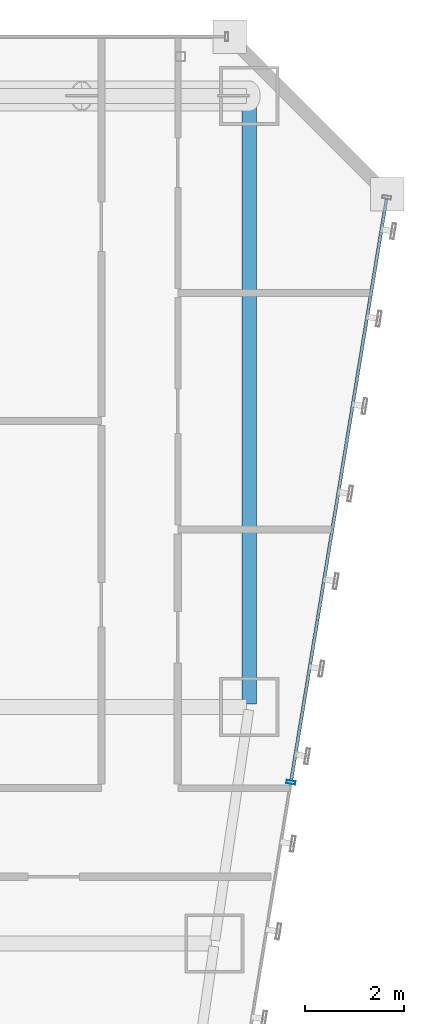
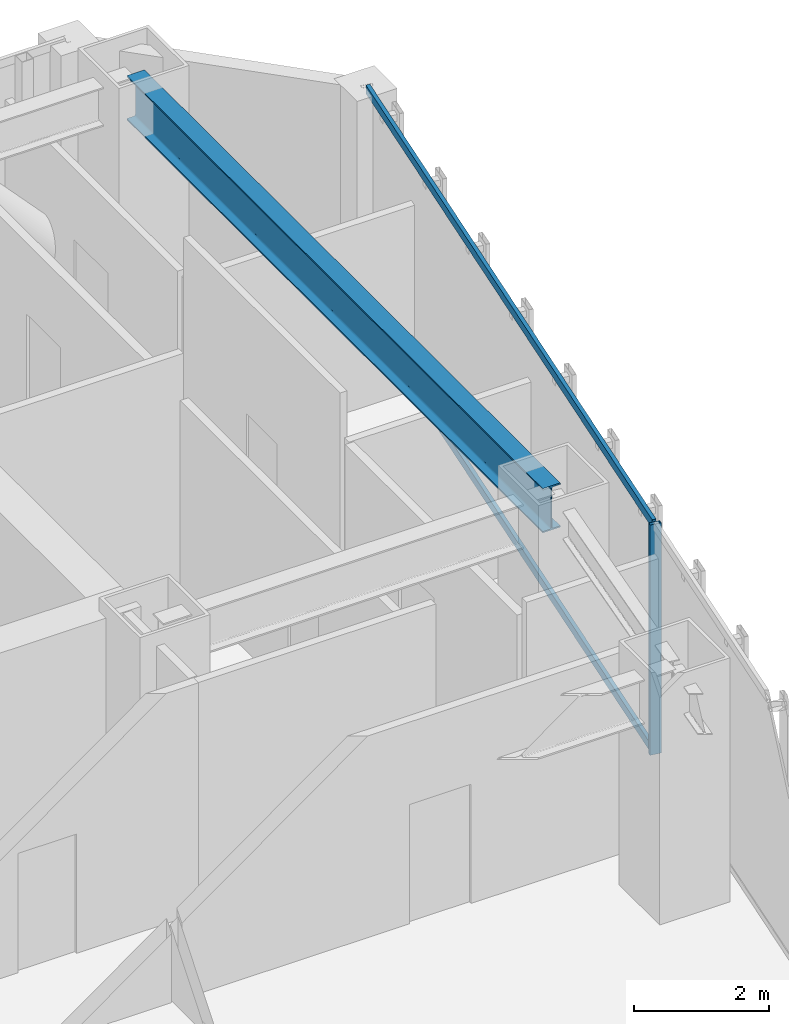
# One storey, part 31 of 47: 3 members, 1 beam, 1 element without a shape of its own.
"""IFC4 building model written with IfcOpenShell, lengths in metres."""

from ifc_helpers import new_model, si_unit, direction, frame, origin, origin_2d, place, context, subcontext, project, spatial, hollow_rectangle, i_section, extrude, material, material_profile, profile_set, type_object, element, aggregate, save


model = new_model("IFC4")

# Units and contexts
model_context = context("Model", 3, precision=1e-05, world=origin(), true_north=direction((0.0, 1.0)))
body_context = subcontext(model_context, "Body", "Model", "MODEL_VIEW")
ifc_project = project(units=[si_unit("LENGTHUNIT", "METRE"), si_unit("AREAUNIT", "SQUARE_METRE"), si_unit("VOLUMEUNIT", "CUBIC_METRE"), si_unit("PLANEANGLEUNIT", "RADIAN"), si_unit("MASSUNIT", "GRAM", prefix="KILO")], contexts=[model_context])

# Site, building, storey
site_placement = place(None, origin())
site = spatial("IfcSite", under=ifc_project, at=site_placement, CompositionType="ELEMENT")
building_placement = place(site_placement, origin())
building = spatial("IfcBuilding", under=site, at=building_placement, Name="Saevonmaru Cultural Tower", CompositionType="ELEMENT")
storey_placement = place(building_placement, frame((0.0, 0.0, 78.0)))
storey = spatial("IfcBuildingStorey", under=building, at=storey_placement, Name="L16", CompositionType="ELEMENT", Elevation=78.0)

# Beam
ifc_material_1 = material(Name="Steel SM420", Category="steel")
ifc_material_profile_1 = material_profile(ifc_material_1, i_section(OverallWidth=0.300048828125, OverallDepth=0.800048828125, WebThickness=0.013916015625, FlangeThickness=0.02587890625, FilletRadius=0.028076171875, at=origin_2d()), Name="H-800x300x14x26")
ifc_profile_set_1 = profile_set([ifc_material_profile_1], Name="Steel SM420")
beam_type = type_object("IfcBeamType", Name="BM-G-H800", PredefinedType="BEAM", material=ifc_profile_set_1)
beam_placement = place(storey_placement, frame((53.199951171875, 54.739990234375, 3.75), z_axis=(0.0, -1.0, 0.0), x_axis=(1.0, 0.0, 0.0)))
element("IfcBeam", 1, at=beam_placement, inside=storey, type_object=beam_type, Name="L16 Spine Transverse Girder E", PredefinedType="BEAM", context=body_context, shape_type="SweptSolid", body=[
    extrude(i_section(OverallWidth=0.300048828125, OverallDepth=0.800048828125, WebThickness=0.013916015625, FlangeThickness=0.02587890625, FilletRadius=0.028076171875, at=origin_2d()), origin(), (0.0, 0.0, 1.0), 12.280029296875),
])

# Curtain wall, members
ifc_material_2 = material(Name="Satin Bronze Anodised Aluminium", Category="aluminium")
curtain_wall_type = type_object("IfcCurtainWallType", Name="CW-TYP-A", PredefinedType="NOTDEFINED", material=ifc_material_2)
curtain_wall_placement = place(storey_placement, origin())
curtain_wall = element("IfcCurtainWall", 2, at=curtain_wall_placement, inside=storey, type_object=curtain_wall_type, Name="L16 Unitised Curtain Wall E8", PredefinedType="NOTDEFINED")
ifc_material_profile_2 = material_profile(ifc_material_2, hollow_rectangle(XDim=0.06494140625, YDim=0.179931640625, WallThickness=0.00390625, at=origin_2d()), Name="ALU-MULL-180x65x4")
ifc_profile_set_2 = profile_set([ifc_material_profile_2], Name="Satin Bronze Anodised Aluminium")
member_type_1 = type_object("IfcMemberType", Name="ML-CW-180x65", PredefinedType="MULLION", material=ifc_profile_set_2)
member_1_placement = place(storey_placement, frame((54.045166015625, 40.870361328125, 0.0), z_axis=(0.0, 0.0, 1.0), x_axis=(0.161708868641, 0.986838508472, 0.0)))
member_1 = element("IfcMember", 3, at=member_1_placement, type_object=member_type_1, Name="CW-TW-L16-E8 mullion 4", PredefinedType="MULLION", context=body_context, shape_type="SweptSolid", body=[
    extrude(hollow_rectangle(XDim=0.06494140625, YDim=0.179931640625, WallThickness=0.00390625, at=origin_2d()), origin(), (0.0, 0.0, 1.0), 4.14990234375),
])
ifc_material_profile_3 = material_profile(ifc_material_2, hollow_rectangle(XDim=0.06494140625, YDim=0.14990234375, WallThickness=0.00390625, at=origin_2d()), Name="ALU-TRAN-150x65x4")
ifc_profile_set_3 = profile_set([ifc_material_profile_3], Name="Satin Bronze Anodised Aluminium")
member_type_2 = type_object("IfcMemberType", Name="TR-CW-150x65", PredefinedType="USERDEFINED", material=ifc_profile_set_3)
member_2_placement = place(storey_placement, frame((54.05029296875, 40.902587890625, 0.032470703125), z_axis=(0.161724530373, 0.986835941925, 0.0), x_axis=(-0.986835941925, 0.161724530373, 0.0)))
member_2 = element("IfcMember", 4, at=member_2_placement, type_object=member_type_2, Name="CW-TW-L16-E8 transom 4.1", ObjectType="TRANSOM", PredefinedType="USERDEFINED", context=body_context, shape_type="SweptSolid", body=[
    extrude(hollow_rectangle(XDim=0.06494140625, YDim=0.14990234375, WallThickness=0.00390625, at=origin_2d()), origin(), (0.0, 0.0, 1.0), 11.963623046875),
])
member_3_placement = place(storey_placement, frame((54.05029296875, 40.902587890625, 4.117431640625), z_axis=(0.161724530373, 0.986835941925, 0.0), x_axis=(-0.986835941925, 0.161724530373, 0.0)))
member_3 = element("IfcMember", 5, at=member_3_placement, type_object=member_type_2, Name="CW-TW-L16-E8 transom 4.2", ObjectType="TRANSOM", PredefinedType="USERDEFINED", context=body_context, shape_type="SweptSolid", body=[
    extrude(hollow_rectangle(XDim=0.06494140625, YDim=0.14990234375, WallThickness=0.00390625, at=origin_2d()), origin(), (0.0, 0.0, 1.0), 11.963623046875),
])
aggregate(curtain_wall, [member_1, member_2, member_3])

save(model, "model.ifc")
